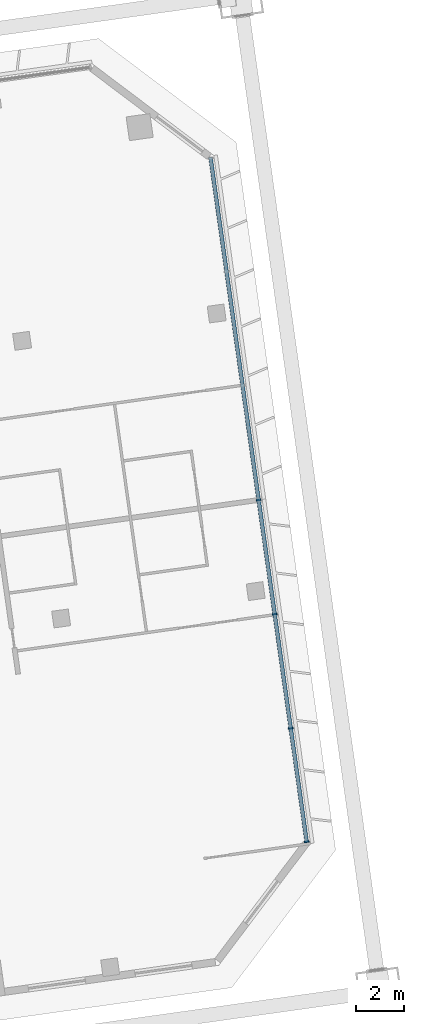
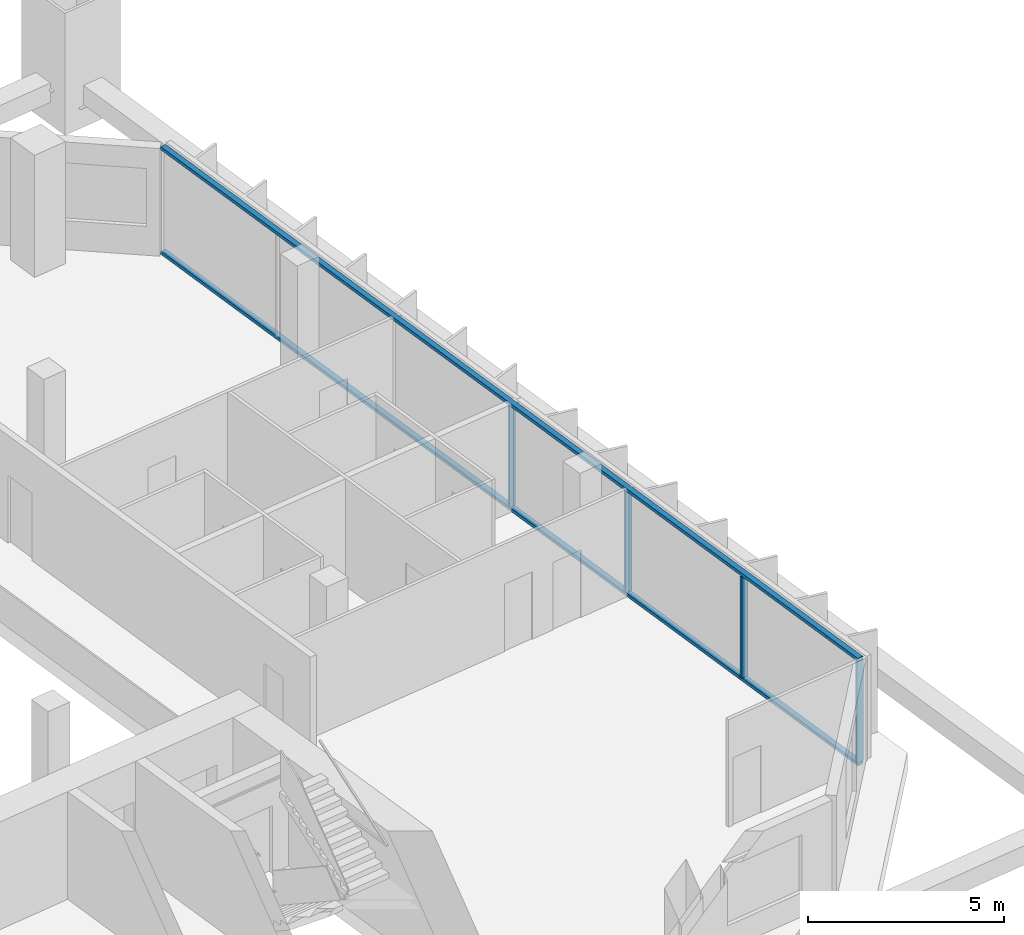
# One storey, part 20 of 46: 6 members, 1 element without a shape of its own.
"""IFC4 building model written with IfcOpenShell, lengths in metres."""

from ifc_helpers import new_model, si_unit, direction, frame, origin, origin_2d, place, context, subcontext, project, spatial, rectangle, extrude, material, material_profile, profile_set, type_object, element, aggregate, save


model = new_model("IFC4")

# Units and contexts
model_context = context("Model", 3, precision=1e-05, world=origin(), true_north=direction((0.0, 1.0)))
body_context = subcontext(model_context, "Body", "Model", "MODEL_VIEW")
ifc_project = project(units=[si_unit("LENGTHUNIT", "METRE"), si_unit("AREAUNIT", "SQUARE_METRE"), si_unit("VOLUMEUNIT", "CUBIC_METRE"), si_unit("PLANEANGLEUNIT", "RADIAN"), si_unit("MASSUNIT", "GRAM", prefix="KILO")], contexts=[model_context])

# Site, building, storey
site_placement = place(None, origin())
site = spatial("IfcSite", under=ifc_project, at=site_placement, CompositionType="ELEMENT")
building_placement = place(site_placement, origin())
building = spatial("IfcBuilding", under=site, at=building_placement, Name="Mirante Cascada Hotel Towers", CompositionType="ELEMENT")
storey_placement = place(building_placement, frame((0.0, 0.0, 39.5)))
storey = spatial("IfcBuildingStorey", under=building, at=storey_placement, Name="L06", CompositionType="ELEMENT", Elevation=39.5)

# Curtain wall, members
ifc_material_1 = material(Name="Aluminium mullion and transom frame with clear laminated glass", Category="aluminium")
curtain_wall_type = type_object("IfcCurtainWallType", Name="End ribbon curtain wall ECW2", PredefinedType="NOTDEFINED", material=ifc_material_1)
curtain_wall_placement = place(storey_placement, origin())
curtain_wall = element("IfcCurtainWall", 1, at=curtain_wall_placement, inside=storey, type_object=curtain_wall_type, Name="Outer end wall T2 L06", PredefinedType="NOTDEFINED")
ifc_material_2 = material(Name="Anodised aluminium extrusion", Category="aluminium")
ifc_material_profile_1 = material_profile(ifc_material_2, rectangle(XDim=0.2, YDim=0.065, at=origin_2d()), Name="ECW2 MULLION 65x200")
ifc_profile_set_1 = profile_set([ifc_material_profile_1], Name="Anodised aluminium extrusion")
member_type_1 = type_object("IfcMemberType", Name="ECW2 mullion 65x200", PredefinedType="MULLION", material=ifc_profile_set_1)
member_1_placement = place(storey_placement, frame((103.1556, -6.2656, 0.1), z_axis=(0.0, 0.0, 1.0), x_axis=(-0.9902681, -0.1391731, 0.0)))
member_1 = element("IfcMember", 2, at=member_1_placement, type_object=member_type_1, Name="ECW2 mullion 1", PredefinedType="MULLION", context=body_context, shape_type="SweptSolid", body=[
    extrude(rectangle(XDim=0.2, YDim=0.065, at=origin_2d()), origin(), (0.0, 0.0, 1.0), 3.15),
])
member_2_placement = place(storey_placement, frame((102.4903, -1.532, 0.1), z_axis=(0.0, 0.0, 1.0), x_axis=(-0.9902681, -0.1391731, 0.0)))
member_2 = element("IfcMember", 3, at=member_2_placement, type_object=member_type_1, Name="ECW2 mullion 2", PredefinedType="MULLION", context=body_context, shape_type="SweptSolid", body=[
    extrude(rectangle(XDim=0.2, YDim=0.065, at=origin_2d()), origin(), (0.0, 0.0, 1.0), 3.15),
])
member_3_placement = place(storey_placement, frame((101.8205, 3.2338, 0.1), z_axis=(0.0, 0.0, 1.0), x_axis=(-0.9902681, -0.1391731, 0.0)))
member_3 = element("IfcMember", 4, at=member_3_placement, type_object=member_type_1, Name="ECW2 mullion 3", PredefinedType="MULLION", context=body_context, shape_type="SweptSolid", body=[
    extrude(rectangle(XDim=0.2, YDim=0.065, at=origin_2d()), origin(), (0.0, 0.0, 1.0), 3.15),
])
member_4_placement = place(storey_placement, frame((101.1508, 7.9996, 0.1), z_axis=(0.0, 0.0, 1.0), x_axis=(-0.9902681, -0.1391731, 0.0)))
member_4 = element("IfcMember", 5, at=member_4_placement, type_object=member_type_1, Name="ECW2 mullion 4", PredefinedType="MULLION", context=body_context, shape_type="SweptSolid", body=[
    extrude(rectangle(XDim=0.2, YDim=0.065, at=origin_2d()), origin(), (0.0, 0.0, 1.0), 3.15),
])
ifc_material_3 = material(Name="Anodised aluminium extrusion", Category="aluminium")
ifc_material_profile_2 = material_profile(ifc_material_3, rectangle(XDim=0.16, YDim=0.1, at=origin_2d()), Name="ECW2 TRANSOM 100x160")
ifc_profile_set_2 = profile_set([ifc_material_profile_2], Name="Anodised aluminium extrusion")
member_type_2 = type_object("IfcMemberType", Name="ECW2 transom 100x160", PredefinedType="USERDEFINED", material=ifc_profile_set_2)
member_5_placement = place(storey_placement, frame((103.1601, -6.2978, 0.05), z_axis=(-0.1391723, 0.9902682, 0.0), x_axis=(-0.9902682, -0.1391723, 0.0)))
member_5 = element("IfcMember", 6, at=member_5_placement, type_object=member_type_2, Name="ECW2 sill transom", ObjectType="TRANSOM", PredefinedType="USERDEFINED", context=body_context, shape_type="SweptSolid", body=[
    extrude(rectangle(XDim=0.16, YDim=0.1, at=origin_2d()), origin(), (0.0, 0.0, 1.0), 28.8757),
])
member_6_placement = place(storey_placement, frame((103.1601, -6.2978, 3.3), z_axis=(-0.1391723, 0.9902682, 0.0), x_axis=(-0.9902682, -0.1391723, 0.0)))
member_6 = element("IfcMember", 7, at=member_6_placement, type_object=member_type_2, Name="ECW2 head transom", ObjectType="TRANSOM", PredefinedType="USERDEFINED", context=body_context, shape_type="SweptSolid", body=[
    extrude(rectangle(XDim=0.16, YDim=0.1, at=origin_2d()), origin(), (0.0, 0.0, 1.0), 28.8757),
])
aggregate(curtain_wall, [member_5, member_6, member_1, member_2, member_3, member_4])

save(model, "model.ifc")
